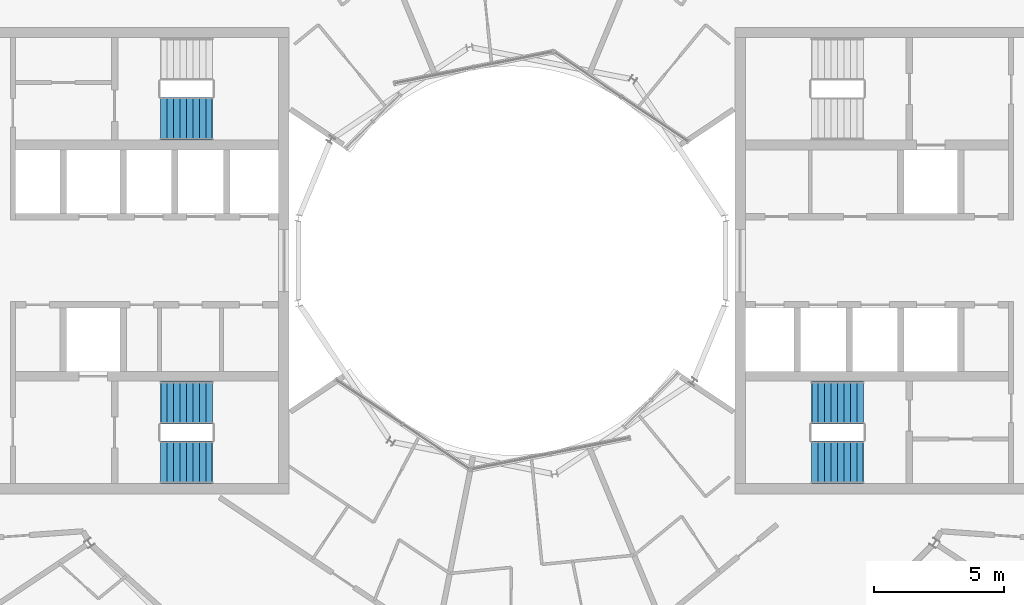
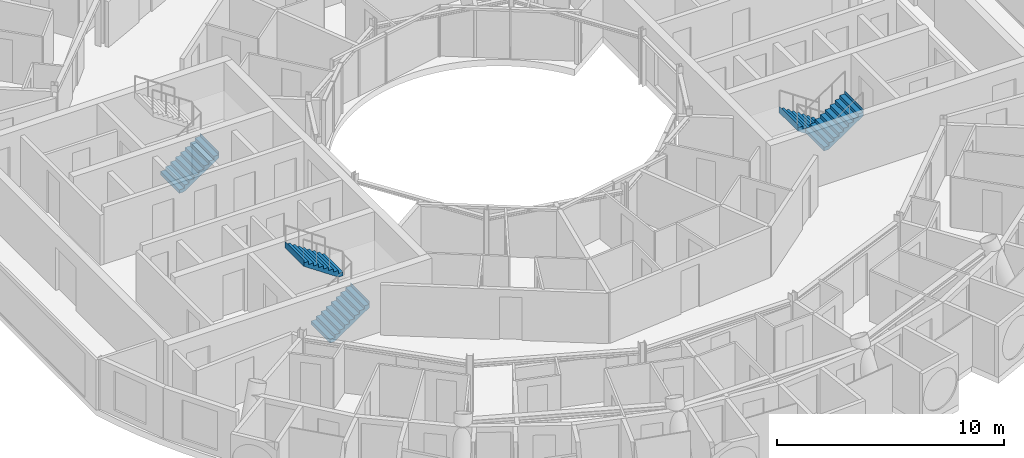
# One storey, part 24 of 27: 5 stair flights, 3 elements without a shape of their own.
"""IFC4 building model written with IfcOpenShell, lengths in metres."""

from ifc_helpers import new_model, si_unit, direction, frame, origin, place, context, subcontext, project, spatial, triangles, material, type_object, element, aggregate, save


model = new_model("IFC4")

# Units and contexts
model_context = context("Model", 3, precision=1e-05, world=origin(), true_north=direction((0.0, 1.0)))
body_context = subcontext(model_context, "Body", "Model", "MODEL_VIEW")
ifc_project = project(units=[si_unit("LENGTHUNIT", "METRE"), si_unit("AREAUNIT", "SQUARE_METRE"), si_unit("VOLUMEUNIT", "CUBIC_METRE"), si_unit("PLANEANGLEUNIT", "RADIAN"), si_unit("MASSUNIT", "GRAM", prefix="KILO")], contexts=[model_context])

# Site, building, storey
site_placement = place(None, origin())
site = spatial("IfcSite", under=ifc_project, at=site_placement, CompositionType="ELEMENT")
building_placement = place(site_placement, origin())
building = spatial("IfcBuilding", under=site, at=building_placement, Name="Maasbend Ring Residences", CompositionType="ELEMENT")
storey_placement = place(building_placement, frame((0.0, 0.0, 243.199951171875)))
storey = spatial("IfcBuildingStorey", under=building, at=storey_placement, Name="L70", CompositionType="ELEMENT", Elevation=243.199951171875)

# Stair, stair flights
ifc_material_1 = material(Name="Concrete C40/50", Category="concrete")
stair_type = type_object("IfcStairType", Name="CORE STAIR 18 RISERS", PredefinedType="HALF_TURN_STAIR", material=ifc_material_1)
stair_1_placement = place(storey_placement, origin())
stair_1 = element("IfcStair", 1, at=stair_1_placement, inside=storey, type_object=stair_type, Name="L70 Exit stair ST-E2", PredefinedType="HALF_TURN_STAIR")
ifc_material_2 = material(Name="Concrete C40/50", Category="concrete")
stair_flight_type = type_object("IfcStairFlightType", Name="CORE STAIR FLIGHT 1650", PredefinedType="STRAIGHT", material=ifc_material_2)
stair_flight_1_placement = place(storey_placement, frame((13.550048828125, -5.47509765625, 0.0), z_axis=(0.0, 0.0, 1.0), x_axis=(-1.0, 0.0, 0.0)))
stair_flight_1 = element("IfcStairFlight", 2, at=stair_flight_1_placement, type_object=stair_flight_type, Name="ST-E2 flight 1", NumberOfRisers=9, NumberOfTreads=8, PredefinedType="STRAIGHT", RiserHeight=0.169444444, TreadLength=0.25, context=body_context, shape_type="Tessellation", body=[
    triangles([(0.24072265625, 0.824951171875, -0.02001953125), (2.0029296875, 0.824951171875, 1.174560546875), (2.0029296875, 0.824951171875, 1.52490234375), (1.989990234375, 0.824951171875, 1.35546875), (1.75, 0.824951171875, 1.35546875), (1.75, 0.824951171875, 1.18603515625), (1.5, 0.824951171875, 1.18603515625), (1.5, 0.824951171875, 1.0166015625), (1.25, 0.824951171875, 1.0166015625), (1.25, 0.824951171875, 0.84716796875), (1.0, 0.824951171875, 0.84716796875), (1.0, 0.824951171875, 0.677734375), (0.75, 0.824951171875, 0.677734375), (0.75, 0.824951171875, 0.50830078125), (0.5, 0.824951171875, 0.50830078125), (0.5, 0.824951171875, 0.3388671875), (0.25, 0.824951171875, 0.3388671875), (0.25, 0.824951171875, 0.16943359375), (0.0, 0.824951171875, 0.16943359375), (0.0, 0.824951171875, 0.0), (-0.0029296875, 0.824951171875, 0.0), (-0.0029296875, 0.824951171875, -0.02001953125), (0.24072265625, 0.27490234375, -0.02001953125), (2.0029296875, 0.27490234375, 1.174560546875), (2.0029296875, 0.27490234375, 1.52490234375), (1.989990234375, 0.27490234375, 1.35546875), (1.75, 0.27490234375, 1.35546875), (1.75, 0.27490234375, 1.18603515625), (1.5, 0.27490234375, 1.18603515625), (1.5, 0.27490234375, 1.0166015625), (1.25, 0.27490234375, 1.0166015625), (1.25, 0.27490234375, 0.84716796875), (1.0, 0.27490234375, 0.84716796875), (1.0, 0.27490234375, 0.677734375), (0.75, 0.27490234375, 0.677734375), (0.75, 0.27490234375, 0.50830078125), (0.5, 0.27490234375, 0.50830078125), (0.5, 0.27490234375, 0.3388671875), (0.25, 0.27490234375, 0.3388671875), (0.25, 0.27490234375, 0.16943359375), (0.0, 0.27490234375, 0.16943359375), (0.0, 0.27490234375, 0.0), (-0.0029296875, 0.27490234375, 0.0), (-0.0029296875, 0.27490234375, -0.02001953125), (0.24072265625, -0.27490234375, -0.02001953125), (2.0029296875, -0.27490234375, 1.174560546875), (2.0029296875, -0.27490234375, 1.52490234375), (1.989990234375, -0.27490234375, 1.35546875), (1.75, -0.27490234375, 1.35546875), (1.75, -0.27490234375, 1.18603515625), (1.5, -0.27490234375, 1.18603515625), (1.5, -0.27490234375, 1.0166015625), (1.25, -0.27490234375, 1.0166015625), (1.25, -0.27490234375, 0.84716796875), (1.0, -0.27490234375, 0.84716796875), (1.0, -0.27490234375, 0.677734375), (0.75, -0.27490234375, 0.677734375), (0.75, -0.27490234375, 0.50830078125), (0.5, -0.27490234375, 0.50830078125), (0.5, -0.27490234375, 0.3388671875), (0.25, -0.27490234375, 0.3388671875), (0.25, -0.27490234375, 0.16943359375), (0.0, -0.27490234375, 0.16943359375), (0.0, -0.27490234375, 0.0), (-0.0029296875, -0.27490234375, 0.0), (-0.0029296875, -0.27490234375, -0.02001953125), (0.24072265625, -0.824951171875, -0.02001953125), (2.0029296875, -0.824951171875, 1.174560546875), (2.0029296875, -0.824951171875, 1.52490234375), (1.989990234375, -0.824951171875, 1.35546875), (1.75, -0.824951171875, 1.35546875), (1.75, -0.824951171875, 1.18603515625), (1.5, -0.824951171875, 1.18603515625), (1.5, -0.824951171875, 1.0166015625), (1.25, -0.824951171875, 1.0166015625), (1.25, -0.824951171875, 0.84716796875), (1.0, -0.824951171875, 0.84716796875), (1.0, -0.824951171875, 0.677734375), (0.75, -0.824951171875, 0.677734375), (0.75, -0.824951171875, 0.50830078125), (0.5, -0.824951171875, 0.50830078125), (0.5, -0.824951171875, 0.3388671875), (0.25, -0.824951171875, 0.3388671875), (0.25, -0.824951171875, 0.16943359375), (0.0, -0.824951171875, 0.16943359375), (0.0, -0.824951171875, 0.0), (-0.0029296875, -0.824951171875, 0.0), (-0.0029296875, -0.824951171875, -0.02001953125)], [[1, 2, 24], [1, 24, 23], [23, 24, 46], [23, 46, 45], [45, 46, 68], [45, 68, 67], [2, 3, 25], [2, 25, 24], [24, 25, 47], [24, 47, 46], [46, 47, 69], [46, 69, 68], [3, 4, 26], [3, 26, 25], [25, 26, 48], [25, 48, 47], [47, 48, 70], [47, 70, 69], [4, 5, 27], [4, 27, 26], [26, 27, 49], [26, 49, 48], [48, 49, 71], [48, 71, 70], [5, 6, 28], [5, 28, 27], [27, 28, 50], [27, 50, 49], [49, 50, 72], [49, 72, 71], [6, 7, 29], [6, 29, 28], [28, 29, 51], [28, 51, 50], [50, 51, 73], [50, 73, 72], [7, 8, 30], [7, 30, 29], [29, 30, 52], [29, 52, 51], [51, 52, 74], [51, 74, 73], [8, 9, 31], [8, 31, 30], [30, 31, 53], [30, 53, 52], [52, 53, 75], [52, 75, 74], [9, 10, 32], [9, 32, 31], [31, 32, 54], [31, 54, 53], [53, 54, 76], [53, 76, 75], [10, 11, 33], [10, 33, 32], [32, 33, 55], [32, 55, 54], [54, 55, 77], [54, 77, 76], [11, 12, 34], [11, 34, 33], [33, 34, 56], [33, 56, 55], [55, 56, 78], [55, 78, 77], [12, 13, 35], [12, 35, 34], [34, 35, 57], [34, 57, 56], [56, 57, 79], [56, 79, 78], [13, 14, 36], [13, 36, 35], [35, 36, 58], [35, 58, 57], [57, 58, 80], [57, 80, 79], [14, 15, 37], [14, 37, 36], [36, 37, 59], [36, 59, 58], [58, 59, 81], [58, 81, 80], [15, 16, 38], [15, 38, 37], [37, 38, 60], [37, 60, 59], [59, 60, 82], [59, 82, 81], [16, 17, 39], [16, 39, 38], [38, 39, 61], [38, 61, 60], [60, 61, 83], [60, 83, 82], [17, 18, 40], [17, 40, 39], [39, 40, 62], [39, 62, 61], [61, 62, 84], [61, 84, 83], [18, 19, 41], [18, 41, 40], [40, 41, 63], [40, 63, 62], [62, 63, 85], [62, 85, 84], [19, 20, 42], [19, 42, 41], [41, 42, 64], [41, 64, 63], [63, 64, 86], [63, 86, 85], [20, 21, 43], [20, 43, 42], [42, 43, 65], [42, 65, 64], [64, 65, 87], [64, 87, 86], [21, 22, 44], [21, 44, 43], [43, 44, 66], [43, 66, 65], [65, 66, 88], [65, 88, 87], [22, 1, 23], [22, 23, 44], [44, 23, 45], [44, 45, 66], [66, 45, 67], [66, 67, 88], [22, 2, 1], [2, 4, 3], [2, 5, 4], [2, 6, 5], [22, 6, 2], [6, 8, 7], [22, 8, 6], [8, 10, 9], [22, 10, 8], [10, 12, 11], [22, 12, 10], [12, 14, 13], [22, 14, 12], [14, 16, 15], [22, 16, 14], [16, 18, 17], [22, 18, 16], [18, 20, 19], [22, 20, 18], [20, 22, 21], [88, 67, 68], [68, 69, 70], [68, 70, 71], [68, 71, 72], [88, 68, 72], [72, 73, 74], [88, 72, 74], [74, 75, 76], [88, 74, 76], [76, 77, 78], [88, 76, 78], [78, 79, 80], [88, 78, 80], [80, 81, 82], [88, 80, 82], [82, 83, 84], [88, 82, 84], [84, 85, 86], [88, 84, 86], [86, 87, 88]], closed=True),
])
stair_flight_2_placement = place(storey_placement, frame((11.550048828125, -7.77490234375, 1.525146484375), z_axis=(0.0, 0.0, 1.0), x_axis=(1.0, 0.0, 0.0)))
stair_flight_2 = element("IfcStairFlight", 3, at=stair_flight_2_placement, type_object=stair_flight_type, Name="ST-E2 flight 2", NumberOfRisers=9, NumberOfTreads=8, PredefinedType="STRAIGHT", RiserHeight=0.169444444, TreadLength=0.25, context=body_context, shape_type="Tessellation", body=[
    triangles([(0.24072265625, 0.824951171875, -0.02001953125), (2.0029296875, 0.824951171875, 1.174560546875), (2.0029296875, 0.824951171875, 1.52490234375), (1.989990234375, 0.824951171875, 1.35546875), (1.75, 0.824951171875, 1.35546875), (1.75, 0.824951171875, 1.18603515625), (1.5, 0.824951171875, 1.18603515625), (1.5, 0.824951171875, 1.0166015625), (1.25, 0.824951171875, 1.0166015625), (1.25, 0.824951171875, 0.84716796875), (1.0, 0.824951171875, 0.84716796875), (1.0, 0.824951171875, 0.677734375), (0.75, 0.824951171875, 0.677734375), (0.75, 0.824951171875, 0.50830078125), (0.5, 0.824951171875, 0.50830078125), (0.5, 0.824951171875, 0.3388671875), (0.25, 0.824951171875, 0.3388671875), (0.25, 0.824951171875, 0.16943359375), (0.0, 0.824951171875, 0.16943359375), (0.0, 0.824951171875, 0.0), (-0.0029296875, 0.824951171875, 0.0), (-0.0029296875, 0.824951171875, -0.02001953125), (0.24072265625, 0.27490234375, -0.02001953125), (2.0029296875, 0.27490234375, 1.174560546875), (2.0029296875, 0.27490234375, 1.52490234375), (1.989990234375, 0.27490234375, 1.35546875), (1.75, 0.27490234375, 1.35546875), (1.75, 0.27490234375, 1.18603515625), (1.5, 0.27490234375, 1.18603515625), (1.5, 0.27490234375, 1.0166015625), (1.25, 0.27490234375, 1.0166015625), (1.25, 0.27490234375, 0.84716796875), (1.0, 0.27490234375, 0.84716796875), (1.0, 0.27490234375, 0.677734375), (0.75, 0.27490234375, 0.677734375), (0.75, 0.27490234375, 0.50830078125), (0.5, 0.27490234375, 0.50830078125), (0.5, 0.27490234375, 0.3388671875), (0.25, 0.27490234375, 0.3388671875), (0.25, 0.27490234375, 0.16943359375), (0.0, 0.27490234375, 0.16943359375), (0.0, 0.27490234375, 0.0), (-0.0029296875, 0.27490234375, 0.0), (-0.0029296875, 0.27490234375, -0.02001953125), (0.24072265625, -0.27490234375, -0.02001953125), (2.0029296875, -0.27490234375, 1.174560546875), (2.0029296875, -0.27490234375, 1.52490234375), (1.989990234375, -0.27490234375, 1.35546875), (1.75, -0.27490234375, 1.35546875), (1.75, -0.27490234375, 1.18603515625), (1.5, -0.27490234375, 1.18603515625), (1.5, -0.27490234375, 1.0166015625), (1.25, -0.27490234375, 1.0166015625), (1.25, -0.27490234375, 0.84716796875), (1.0, -0.27490234375, 0.84716796875), (1.0, -0.27490234375, 0.677734375), (0.75, -0.27490234375, 0.677734375), (0.75, -0.27490234375, 0.50830078125), (0.5, -0.27490234375, 0.50830078125), (0.5, -0.27490234375, 0.3388671875), (0.25, -0.27490234375, 0.3388671875), (0.25, -0.27490234375, 0.16943359375), (0.0, -0.27490234375, 0.16943359375), (0.0, -0.27490234375, 0.0), (-0.0029296875, -0.27490234375, 0.0), (-0.0029296875, -0.27490234375, -0.02001953125), (0.24072265625, -0.824951171875, -0.02001953125), (2.0029296875, -0.824951171875, 1.174560546875), (2.0029296875, -0.824951171875, 1.52490234375), (1.989990234375, -0.824951171875, 1.35546875), (1.75, -0.824951171875, 1.35546875), (1.75, -0.824951171875, 1.18603515625), (1.5, -0.824951171875, 1.18603515625), (1.5, -0.824951171875, 1.0166015625), (1.25, -0.824951171875, 1.0166015625), (1.25, -0.824951171875, 0.84716796875), (1.0, -0.824951171875, 0.84716796875), (1.0, -0.824951171875, 0.677734375), (0.75, -0.824951171875, 0.677734375), (0.75, -0.824951171875, 0.50830078125), (0.5, -0.824951171875, 0.50830078125), (0.5, -0.824951171875, 0.3388671875), (0.25, -0.824951171875, 0.3388671875), (0.25, -0.824951171875, 0.16943359375), (0.0, -0.824951171875, 0.16943359375), (0.0, -0.824951171875, 0.0), (-0.0029296875, -0.824951171875, 0.0), (-0.0029296875, -0.824951171875, -0.02001953125)], [[1, 2, 24], [1, 24, 23], [23, 24, 46], [23, 46, 45], [45, 46, 68], [45, 68, 67], [2, 3, 25], [2, 25, 24], [24, 25, 47], [24, 47, 46], [46, 47, 69], [46, 69, 68], [3, 4, 26], [3, 26, 25], [25, 26, 48], [25, 48, 47], [47, 48, 70], [47, 70, 69], [4, 5, 27], [4, 27, 26], [26, 27, 49], [26, 49, 48], [48, 49, 71], [48, 71, 70], [5, 6, 28], [5, 28, 27], [27, 28, 50], [27, 50, 49], [49, 50, 72], [49, 72, 71], [6, 7, 29], [6, 29, 28], [28, 29, 51], [28, 51, 50], [50, 51, 73], [50, 73, 72], [7, 8, 30], [7, 30, 29], [29, 30, 52], [29, 52, 51], [51, 52, 74], [51, 74, 73], [8, 9, 31], [8, 31, 30], [30, 31, 53], [30, 53, 52], [52, 53, 75], [52, 75, 74], [9, 10, 32], [9, 32, 31], [31, 32, 54], [31, 54, 53], [53, 54, 76], [53, 76, 75], [10, 11, 33], [10, 33, 32], [32, 33, 55], [32, 55, 54], [54, 55, 77], [54, 77, 76], [11, 12, 34], [11, 34, 33], [33, 34, 56], [33, 56, 55], [55, 56, 78], [55, 78, 77], [12, 13, 35], [12, 35, 34], [34, 35, 57], [34, 57, 56], [56, 57, 79], [56, 79, 78], [13, 14, 36], [13, 36, 35], [35, 36, 58], [35, 58, 57], [57, 58, 80], [57, 80, 79], [14, 15, 37], [14, 37, 36], [36, 37, 59], [36, 59, 58], [58, 59, 81], [58, 81, 80], [15, 16, 38], [15, 38, 37], [37, 38, 60], [37, 60, 59], [59, 60, 82], [59, 82, 81], [16, 17, 39], [16, 39, 38], [38, 39, 61], [38, 61, 60], [60, 61, 83], [60, 83, 82], [17, 18, 40], [17, 40, 39], [39, 40, 62], [39, 62, 61], [61, 62, 84], [61, 84, 83], [18, 19, 41], [18, 41, 40], [40, 41, 63], [40, 63, 62], [62, 63, 85], [62, 85, 84], [19, 20, 42], [19, 42, 41], [41, 42, 64], [41, 64, 63], [63, 64, 86], [63, 86, 85], [20, 21, 43], [20, 43, 42], [42, 43, 65], [42, 65, 64], [64, 65, 87], [64, 87, 86], [21, 22, 44], [21, 44, 43], [43, 44, 66], [43, 66, 65], [65, 66, 88], [65, 88, 87], [22, 1, 23], [22, 23, 44], [44, 23, 45], [44, 45, 66], [66, 45, 67], [66, 67, 88], [22, 2, 1], [2, 4, 3], [2, 5, 4], [2, 6, 5], [22, 6, 2], [6, 8, 7], [22, 8, 6], [8, 10, 9], [22, 10, 8], [10, 12, 11], [22, 12, 10], [12, 14, 13], [22, 14, 12], [14, 16, 15], [22, 16, 14], [16, 18, 17], [22, 18, 16], [18, 20, 19], [22, 20, 18], [20, 22, 21], [88, 67, 68], [68, 69, 70], [68, 70, 71], [68, 71, 72], [88, 68, 72], [72, 73, 74], [88, 72, 74], [74, 75, 76], [88, 74, 76], [76, 77, 78], [88, 76, 78], [78, 79, 80], [88, 78, 80], [80, 81, 82], [88, 80, 82], [82, 83, 84], [88, 82, 84], [84, 85, 86], [88, 84, 86], [86, 87, 88]], closed=True),
])
aggregate(stair_1, [stair_flight_1, stair_flight_2])

stair_2_placement = place(storey_placement, origin())
stair_2 = element("IfcStair", 4, at=stair_2_placement, inside=storey, type_object=stair_type, Name="L70 Exit stair ST-W1", PredefinedType="HALF_TURN_STAIR")
stair_flight_3_placement = place(storey_placement, frame((-13.550048828125, -7.77490234375, 0.0), z_axis=(0.0, 0.0, 1.0), x_axis=(1.0, 0.0, 0.0)))
stair_flight_3 = element("IfcStairFlight", 5, at=stair_flight_3_placement, type_object=stair_flight_type, Name="ST-W1 flight 1", NumberOfRisers=9, NumberOfTreads=8, PredefinedType="STRAIGHT", RiserHeight=0.169444444, TreadLength=0.25, context=body_context, shape_type="Tessellation", body=[
    triangles([(0.24072265625, 0.824951171875, -0.02001953125), (2.0029296875, 0.824951171875, 1.174560546875), (2.0029296875, 0.824951171875, 1.52490234375), (1.989990234375, 0.824951171875, 1.35546875), (1.75, 0.824951171875, 1.35546875), (1.75, 0.824951171875, 1.18603515625), (1.5, 0.824951171875, 1.18603515625), (1.5, 0.824951171875, 1.0166015625), (1.25, 0.824951171875, 1.0166015625), (1.25, 0.824951171875, 0.84716796875), (1.0, 0.824951171875, 0.84716796875), (1.0, 0.824951171875, 0.677734375), (0.75, 0.824951171875, 0.677734375), (0.75, 0.824951171875, 0.50830078125), (0.5, 0.824951171875, 0.50830078125), (0.5, 0.824951171875, 0.3388671875), (0.25, 0.824951171875, 0.3388671875), (0.25, 0.824951171875, 0.16943359375), (0.0, 0.824951171875, 0.16943359375), (0.0, 0.824951171875, 0.0), (-0.0029296875, 0.824951171875, 0.0), (-0.0029296875, 0.824951171875, -0.02001953125), (0.24072265625, 0.27490234375, -0.02001953125), (2.0029296875, 0.27490234375, 1.174560546875), (2.0029296875, 0.27490234375, 1.52490234375), (1.989990234375, 0.27490234375, 1.35546875), (1.75, 0.27490234375, 1.35546875), (1.75, 0.27490234375, 1.18603515625), (1.5, 0.27490234375, 1.18603515625), (1.5, 0.27490234375, 1.0166015625), (1.25, 0.27490234375, 1.0166015625), (1.25, 0.27490234375, 0.84716796875), (1.0, 0.27490234375, 0.84716796875), (1.0, 0.27490234375, 0.677734375), (0.75, 0.27490234375, 0.677734375), (0.75, 0.27490234375, 0.50830078125), (0.5, 0.27490234375, 0.50830078125), (0.5, 0.27490234375, 0.3388671875), (0.25, 0.27490234375, 0.3388671875), (0.25, 0.27490234375, 0.16943359375), (0.0, 0.27490234375, 0.16943359375), (0.0, 0.27490234375, 0.0), (-0.0029296875, 0.27490234375, 0.0), (-0.0029296875, 0.27490234375, -0.02001953125), (0.24072265625, -0.27490234375, -0.02001953125), (2.0029296875, -0.27490234375, 1.174560546875), (2.0029296875, -0.27490234375, 1.52490234375), (1.989990234375, -0.27490234375, 1.35546875), (1.75, -0.27490234375, 1.35546875), (1.75, -0.27490234375, 1.18603515625), (1.5, -0.27490234375, 1.18603515625), (1.5, -0.27490234375, 1.0166015625), (1.25, -0.27490234375, 1.0166015625), (1.25, -0.27490234375, 0.84716796875), (1.0, -0.27490234375, 0.84716796875), (1.0, -0.27490234375, 0.677734375), (0.75, -0.27490234375, 0.677734375), (0.75, -0.27490234375, 0.50830078125), (0.5, -0.27490234375, 0.50830078125), (0.5, -0.27490234375, 0.3388671875), (0.25, -0.27490234375, 0.3388671875), (0.25, -0.27490234375, 0.16943359375), (0.0, -0.27490234375, 0.16943359375), (0.0, -0.27490234375, 0.0), (-0.0029296875, -0.27490234375, 0.0), (-0.0029296875, -0.27490234375, -0.02001953125), (0.24072265625, -0.824951171875, -0.02001953125), (2.0029296875, -0.824951171875, 1.174560546875), (2.0029296875, -0.824951171875, 1.52490234375), (1.989990234375, -0.824951171875, 1.35546875), (1.75, -0.824951171875, 1.35546875), (1.75, -0.824951171875, 1.18603515625), (1.5, -0.824951171875, 1.18603515625), (1.5, -0.824951171875, 1.0166015625), (1.25, -0.824951171875, 1.0166015625), (1.25, -0.824951171875, 0.84716796875), (1.0, -0.824951171875, 0.84716796875), (1.0, -0.824951171875, 0.677734375), (0.75, -0.824951171875, 0.677734375), (0.75, -0.824951171875, 0.50830078125), (0.5, -0.824951171875, 0.50830078125), (0.5, -0.824951171875, 0.3388671875), (0.25, -0.824951171875, 0.3388671875), (0.25, -0.824951171875, 0.16943359375), (0.0, -0.824951171875, 0.16943359375), (0.0, -0.824951171875, 0.0), (-0.0029296875, -0.824951171875, 0.0), (-0.0029296875, -0.824951171875, -0.02001953125)], [[1, 2, 24], [1, 24, 23], [23, 24, 46], [23, 46, 45], [45, 46, 68], [45, 68, 67], [2, 3, 25], [2, 25, 24], [24, 25, 47], [24, 47, 46], [46, 47, 69], [46, 69, 68], [3, 4, 26], [3, 26, 25], [25, 26, 48], [25, 48, 47], [47, 48, 70], [47, 70, 69], [4, 5, 27], [4, 27, 26], [26, 27, 49], [26, 49, 48], [48, 49, 71], [48, 71, 70], [5, 6, 28], [5, 28, 27], [27, 28, 50], [27, 50, 49], [49, 50, 72], [49, 72, 71], [6, 7, 29], [6, 29, 28], [28, 29, 51], [28, 51, 50], [50, 51, 73], [50, 73, 72], [7, 8, 30], [7, 30, 29], [29, 30, 52], [29, 52, 51], [51, 52, 74], [51, 74, 73], [8, 9, 31], [8, 31, 30], [30, 31, 53], [30, 53, 52], [52, 53, 75], [52, 75, 74], [9, 10, 32], [9, 32, 31], [31, 32, 54], [31, 54, 53], [53, 54, 76], [53, 76, 75], [10, 11, 33], [10, 33, 32], [32, 33, 55], [32, 55, 54], [54, 55, 77], [54, 77, 76], [11, 12, 34], [11, 34, 33], [33, 34, 56], [33, 56, 55], [55, 56, 78], [55, 78, 77], [12, 13, 35], [12, 35, 34], [34, 35, 57], [34, 57, 56], [56, 57, 79], [56, 79, 78], [13, 14, 36], [13, 36, 35], [35, 36, 58], [35, 58, 57], [57, 58, 80], [57, 80, 79], [14, 15, 37], [14, 37, 36], [36, 37, 59], [36, 59, 58], [58, 59, 81], [58, 81, 80], [15, 16, 38], [15, 38, 37], [37, 38, 60], [37, 60, 59], [59, 60, 82], [59, 82, 81], [16, 17, 39], [16, 39, 38], [38, 39, 61], [38, 61, 60], [60, 61, 83], [60, 83, 82], [17, 18, 40], [17, 40, 39], [39, 40, 62], [39, 62, 61], [61, 62, 84], [61, 84, 83], [18, 19, 41], [18, 41, 40], [40, 41, 63], [40, 63, 62], [62, 63, 85], [62, 85, 84], [19, 20, 42], [19, 42, 41], [41, 42, 64], [41, 64, 63], [63, 64, 86], [63, 86, 85], [20, 21, 43], [20, 43, 42], [42, 43, 65], [42, 65, 64], [64, 65, 87], [64, 87, 86], [21, 22, 44], [21, 44, 43], [43, 44, 66], [43, 66, 65], [65, 66, 88], [65, 88, 87], [22, 1, 23], [22, 23, 44], [44, 23, 45], [44, 45, 66], [66, 45, 67], [66, 67, 88], [22, 2, 1], [2, 4, 3], [2, 5, 4], [2, 6, 5], [22, 6, 2], [6, 8, 7], [22, 8, 6], [8, 10, 9], [22, 10, 8], [10, 12, 11], [22, 12, 10], [12, 14, 13], [22, 14, 12], [14, 16, 15], [22, 16, 14], [16, 18, 17], [22, 18, 16], [18, 20, 19], [22, 20, 18], [20, 22, 21], [88, 67, 68], [68, 69, 70], [68, 70, 71], [68, 71, 72], [88, 68, 72], [72, 73, 74], [88, 72, 74], [74, 75, 76], [88, 74, 76], [76, 77, 78], [88, 76, 78], [78, 79, 80], [88, 78, 80], [80, 81, 82], [88, 80, 82], [82, 83, 84], [88, 82, 84], [84, 85, 86], [88, 84, 86], [86, 87, 88]], closed=True),
])
stair_flight_4_placement = place(storey_placement, frame((-11.550048828125, -5.47509765625, 1.525146484375), z_axis=(0.0, 0.0, 1.0), x_axis=(-1.0, 0.0, 0.0)))
stair_flight_4 = element("IfcStairFlight", 6, at=stair_flight_4_placement, type_object=stair_flight_type, Name="ST-W1 flight 2", NumberOfRisers=9, NumberOfTreads=8, PredefinedType="STRAIGHT", RiserHeight=0.169444444, TreadLength=0.25, context=body_context, shape_type="Tessellation", body=[
    triangles([(0.24072265625, 0.824951171875, -0.02001953125), (2.0029296875, 0.824951171875, 1.174560546875), (2.0029296875, 0.824951171875, 1.52490234375), (1.989990234375, 0.824951171875, 1.35546875), (1.75, 0.824951171875, 1.35546875), (1.75, 0.824951171875, 1.18603515625), (1.5, 0.824951171875, 1.18603515625), (1.5, 0.824951171875, 1.0166015625), (1.25, 0.824951171875, 1.0166015625), (1.25, 0.824951171875, 0.84716796875), (1.0, 0.824951171875, 0.84716796875), (1.0, 0.824951171875, 0.677734375), (0.75, 0.824951171875, 0.677734375), (0.75, 0.824951171875, 0.50830078125), (0.5, 0.824951171875, 0.50830078125), (0.5, 0.824951171875, 0.3388671875), (0.25, 0.824951171875, 0.3388671875), (0.25, 0.824951171875, 0.16943359375), (0.0, 0.824951171875, 0.16943359375), (0.0, 0.824951171875, 0.0), (-0.0029296875, 0.824951171875, 0.0), (-0.0029296875, 0.824951171875, -0.02001953125), (0.24072265625, 0.27490234375, -0.02001953125), (2.0029296875, 0.27490234375, 1.174560546875), (2.0029296875, 0.27490234375, 1.52490234375), (1.989990234375, 0.27490234375, 1.35546875), (1.75, 0.27490234375, 1.35546875), (1.75, 0.27490234375, 1.18603515625), (1.5, 0.27490234375, 1.18603515625), (1.5, 0.27490234375, 1.0166015625), (1.25, 0.27490234375, 1.0166015625), (1.25, 0.27490234375, 0.84716796875), (1.0, 0.27490234375, 0.84716796875), (1.0, 0.27490234375, 0.677734375), (0.75, 0.27490234375, 0.677734375), (0.75, 0.27490234375, 0.50830078125), (0.5, 0.27490234375, 0.50830078125), (0.5, 0.27490234375, 0.3388671875), (0.25, 0.27490234375, 0.3388671875), (0.25, 0.27490234375, 0.16943359375), (0.0, 0.27490234375, 0.16943359375), (0.0, 0.27490234375, 0.0), (-0.0029296875, 0.27490234375, 0.0), (-0.0029296875, 0.27490234375, -0.02001953125), (0.24072265625, -0.27490234375, -0.02001953125), (2.0029296875, -0.27490234375, 1.174560546875), (2.0029296875, -0.27490234375, 1.52490234375), (1.989990234375, -0.27490234375, 1.35546875), (1.75, -0.27490234375, 1.35546875), (1.75, -0.27490234375, 1.18603515625), (1.5, -0.27490234375, 1.18603515625), (1.5, -0.27490234375, 1.0166015625), (1.25, -0.27490234375, 1.0166015625), (1.25, -0.27490234375, 0.84716796875), (1.0, -0.27490234375, 0.84716796875), (1.0, -0.27490234375, 0.677734375), (0.75, -0.27490234375, 0.677734375), (0.75, -0.27490234375, 0.50830078125), (0.5, -0.27490234375, 0.50830078125), (0.5, -0.27490234375, 0.3388671875), (0.25, -0.27490234375, 0.3388671875), (0.25, -0.27490234375, 0.16943359375), (0.0, -0.27490234375, 0.16943359375), (0.0, -0.27490234375, 0.0), (-0.0029296875, -0.27490234375, 0.0), (-0.0029296875, -0.27490234375, -0.02001953125), (0.24072265625, -0.824951171875, -0.02001953125), (2.0029296875, -0.824951171875, 1.174560546875), (2.0029296875, -0.824951171875, 1.52490234375), (1.989990234375, -0.824951171875, 1.35546875), (1.75, -0.824951171875, 1.35546875), (1.75, -0.824951171875, 1.18603515625), (1.5, -0.824951171875, 1.18603515625), (1.5, -0.824951171875, 1.0166015625), (1.25, -0.824951171875, 1.0166015625), (1.25, -0.824951171875, 0.84716796875), (1.0, -0.824951171875, 0.84716796875), (1.0, -0.824951171875, 0.677734375), (0.75, -0.824951171875, 0.677734375), (0.75, -0.824951171875, 0.50830078125), (0.5, -0.824951171875, 0.50830078125), (0.5, -0.824951171875, 0.3388671875), (0.25, -0.824951171875, 0.3388671875), (0.25, -0.824951171875, 0.16943359375), (0.0, -0.824951171875, 0.16943359375), (0.0, -0.824951171875, 0.0), (-0.0029296875, -0.824951171875, 0.0), (-0.0029296875, -0.824951171875, -0.02001953125)], [[1, 2, 24], [1, 24, 23], [23, 24, 46], [23, 46, 45], [45, 46, 68], [45, 68, 67], [2, 3, 25], [2, 25, 24], [24, 25, 47], [24, 47, 46], [46, 47, 69], [46, 69, 68], [3, 4, 26], [3, 26, 25], [25, 26, 48], [25, 48, 47], [47, 48, 70], [47, 70, 69], [4, 5, 27], [4, 27, 26], [26, 27, 49], [26, 49, 48], [48, 49, 71], [48, 71, 70], [5, 6, 28], [5, 28, 27], [27, 28, 50], [27, 50, 49], [49, 50, 72], [49, 72, 71], [6, 7, 29], [6, 29, 28], [28, 29, 51], [28, 51, 50], [50, 51, 73], [50, 73, 72], [7, 8, 30], [7, 30, 29], [29, 30, 52], [29, 52, 51], [51, 52, 74], [51, 74, 73], [8, 9, 31], [8, 31, 30], [30, 31, 53], [30, 53, 52], [52, 53, 75], [52, 75, 74], [9, 10, 32], [9, 32, 31], [31, 32, 54], [31, 54, 53], [53, 54, 76], [53, 76, 75], [10, 11, 33], [10, 33, 32], [32, 33, 55], [32, 55, 54], [54, 55, 77], [54, 77, 76], [11, 12, 34], [11, 34, 33], [33, 34, 56], [33, 56, 55], [55, 56, 78], [55, 78, 77], [12, 13, 35], [12, 35, 34], [34, 35, 57], [34, 57, 56], [56, 57, 79], [56, 79, 78], [13, 14, 36], [13, 36, 35], [35, 36, 58], [35, 58, 57], [57, 58, 80], [57, 80, 79], [14, 15, 37], [14, 37, 36], [36, 37, 59], [36, 59, 58], [58, 59, 81], [58, 81, 80], [15, 16, 38], [15, 38, 37], [37, 38, 60], [37, 60, 59], [59, 60, 82], [59, 82, 81], [16, 17, 39], [16, 39, 38], [38, 39, 61], [38, 61, 60], [60, 61, 83], [60, 83, 82], [17, 18, 40], [17, 40, 39], [39, 40, 62], [39, 62, 61], [61, 62, 84], [61, 84, 83], [18, 19, 41], [18, 41, 40], [40, 41, 63], [40, 63, 62], [62, 63, 85], [62, 85, 84], [19, 20, 42], [19, 42, 41], [41, 42, 64], [41, 64, 63], [63, 64, 86], [63, 86, 85], [20, 21, 43], [20, 43, 42], [42, 43, 65], [42, 65, 64], [64, 65, 87], [64, 87, 86], [21, 22, 44], [21, 44, 43], [43, 44, 66], [43, 66, 65], [65, 66, 88], [65, 88, 87], [22, 1, 23], [22, 23, 44], [44, 23, 45], [44, 45, 66], [66, 45, 67], [66, 67, 88], [22, 2, 1], [2, 4, 3], [2, 5, 4], [2, 6, 5], [22, 6, 2], [6, 8, 7], [22, 8, 6], [8, 10, 9], [22, 10, 8], [10, 12, 11], [22, 12, 10], [12, 14, 13], [22, 14, 12], [14, 16, 15], [22, 16, 14], [16, 18, 17], [22, 18, 16], [18, 20, 19], [22, 20, 18], [20, 22, 21], [88, 67, 68], [68, 69, 70], [68, 70, 71], [68, 71, 72], [88, 68, 72], [72, 73, 74], [88, 72, 74], [74, 75, 76], [88, 74, 76], [76, 77, 78], [88, 76, 78], [78, 79, 80], [88, 78, 80], [80, 81, 82], [88, 80, 82], [82, 83, 84], [88, 82, 84], [84, 85, 86], [88, 84, 86], [86, 87, 88]], closed=True),
])
aggregate(stair_2, [stair_flight_3, stair_flight_4])

# Stair, stair flight
stair_3_placement = place(storey_placement, origin())
stair_3 = element("IfcStair", 7, at=stair_3_placement, inside=storey, type_object=stair_type, Name="L70 Exit stair ST-W2", PredefinedType="HALF_TURN_STAIR")
stair_flight_5_placement = place(storey_placement, frame((-13.550048828125, 5.47509765625, 0.0), z_axis=(0.0, 0.0, 1.0), x_axis=(1.0, 0.0, 0.0)))
stair_flight_5 = element("IfcStairFlight", 8, at=stair_flight_5_placement, type_object=stair_flight_type, Name="ST-W2 flight 1", NumberOfRisers=9, NumberOfTreads=8, PredefinedType="STRAIGHT", RiserHeight=0.169444444, TreadLength=0.25, context=body_context, shape_type="Tessellation", body=[
    triangles([(0.24072265625, 0.824951171875, -0.02001953125), (2.0029296875, 0.824951171875, 1.174560546875), (2.0029296875, 0.824951171875, 1.52490234375), (1.989990234375, 0.824951171875, 1.35546875), (1.75, 0.824951171875, 1.35546875), (1.75, 0.824951171875, 1.18603515625), (1.5, 0.824951171875, 1.18603515625), (1.5, 0.824951171875, 1.0166015625), (1.25, 0.824951171875, 1.0166015625), (1.25, 0.824951171875, 0.84716796875), (1.0, 0.824951171875, 0.84716796875), (1.0, 0.824951171875, 0.677734375), (0.75, 0.824951171875, 0.677734375), (0.75, 0.824951171875, 0.50830078125), (0.5, 0.824951171875, 0.50830078125), (0.5, 0.824951171875, 0.3388671875), (0.25, 0.824951171875, 0.3388671875), (0.25, 0.824951171875, 0.16943359375), (0.0, 0.824951171875, 0.16943359375), (0.0, 0.824951171875, 0.0), (-0.0029296875, 0.824951171875, 0.0), (-0.0029296875, 0.824951171875, -0.02001953125), (0.24072265625, 0.27490234375, -0.02001953125), (2.0029296875, 0.27490234375, 1.174560546875), (2.0029296875, 0.27490234375, 1.52490234375), (1.989990234375, 0.27490234375, 1.35546875), (1.75, 0.27490234375, 1.35546875), (1.75, 0.27490234375, 1.18603515625), (1.5, 0.27490234375, 1.18603515625), (1.5, 0.27490234375, 1.0166015625), (1.25, 0.27490234375, 1.0166015625), (1.25, 0.27490234375, 0.84716796875), (1.0, 0.27490234375, 0.84716796875), (1.0, 0.27490234375, 0.677734375), (0.75, 0.27490234375, 0.677734375), (0.75, 0.27490234375, 0.50830078125), (0.5, 0.27490234375, 0.50830078125), (0.5, 0.27490234375, 0.3388671875), (0.25, 0.27490234375, 0.3388671875), (0.25, 0.27490234375, 0.16943359375), (0.0, 0.27490234375, 0.16943359375), (0.0, 0.27490234375, 0.0), (-0.0029296875, 0.27490234375, 0.0), (-0.0029296875, 0.27490234375, -0.02001953125), (0.24072265625, -0.27490234375, -0.02001953125), (2.0029296875, -0.27490234375, 1.174560546875), (2.0029296875, -0.27490234375, 1.52490234375), (1.989990234375, -0.27490234375, 1.35546875), (1.75, -0.27490234375, 1.35546875), (1.75, -0.27490234375, 1.18603515625), (1.5, -0.27490234375, 1.18603515625), (1.5, -0.27490234375, 1.0166015625), (1.25, -0.27490234375, 1.0166015625), (1.25, -0.27490234375, 0.84716796875), (1.0, -0.27490234375, 0.84716796875), (1.0, -0.27490234375, 0.677734375), (0.75, -0.27490234375, 0.677734375), (0.75, -0.27490234375, 0.50830078125), (0.5, -0.27490234375, 0.50830078125), (0.5, -0.27490234375, 0.3388671875), (0.25, -0.27490234375, 0.3388671875), (0.25, -0.27490234375, 0.16943359375), (0.0, -0.27490234375, 0.16943359375), (0.0, -0.27490234375, 0.0), (-0.0029296875, -0.27490234375, 0.0), (-0.0029296875, -0.27490234375, -0.02001953125), (0.24072265625, -0.824951171875, -0.02001953125), (2.0029296875, -0.824951171875, 1.174560546875), (2.0029296875, -0.824951171875, 1.52490234375), (1.989990234375, -0.824951171875, 1.35546875), (1.75, -0.824951171875, 1.35546875), (1.75, -0.824951171875, 1.18603515625), (1.5, -0.824951171875, 1.18603515625), (1.5, -0.824951171875, 1.0166015625), (1.25, -0.824951171875, 1.0166015625), (1.25, -0.824951171875, 0.84716796875), (1.0, -0.824951171875, 0.84716796875), (1.0, -0.824951171875, 0.677734375), (0.75, -0.824951171875, 0.677734375), (0.75, -0.824951171875, 0.50830078125), (0.5, -0.824951171875, 0.50830078125), (0.5, -0.824951171875, 0.3388671875), (0.25, -0.824951171875, 0.3388671875), (0.25, -0.824951171875, 0.16943359375), (0.0, -0.824951171875, 0.16943359375), (0.0, -0.824951171875, 0.0), (-0.0029296875, -0.824951171875, 0.0), (-0.0029296875, -0.824951171875, -0.02001953125)], [[1, 2, 24], [1, 24, 23], [23, 24, 46], [23, 46, 45], [45, 46, 68], [45, 68, 67], [2, 3, 25], [2, 25, 24], [24, 25, 47], [24, 47, 46], [46, 47, 69], [46, 69, 68], [3, 4, 26], [3, 26, 25], [25, 26, 48], [25, 48, 47], [47, 48, 70], [47, 70, 69], [4, 5, 27], [4, 27, 26], [26, 27, 49], [26, 49, 48], [48, 49, 71], [48, 71, 70], [5, 6, 28], [5, 28, 27], [27, 28, 50], [27, 50, 49], [49, 50, 72], [49, 72, 71], [6, 7, 29], [6, 29, 28], [28, 29, 51], [28, 51, 50], [50, 51, 73], [50, 73, 72], [7, 8, 30], [7, 30, 29], [29, 30, 52], [29, 52, 51], [51, 52, 74], [51, 74, 73], [8, 9, 31], [8, 31, 30], [30, 31, 53], [30, 53, 52], [52, 53, 75], [52, 75, 74], [9, 10, 32], [9, 32, 31], [31, 32, 54], [31, 54, 53], [53, 54, 76], [53, 76, 75], [10, 11, 33], [10, 33, 32], [32, 33, 55], [32, 55, 54], [54, 55, 77], [54, 77, 76], [11, 12, 34], [11, 34, 33], [33, 34, 56], [33, 56, 55], [55, 56, 78], [55, 78, 77], [12, 13, 35], [12, 35, 34], [34, 35, 57], [34, 57, 56], [56, 57, 79], [56, 79, 78], [13, 14, 36], [13, 36, 35], [35, 36, 58], [35, 58, 57], [57, 58, 80], [57, 80, 79], [14, 15, 37], [14, 37, 36], [36, 37, 59], [36, 59, 58], [58, 59, 81], [58, 81, 80], [15, 16, 38], [15, 38, 37], [37, 38, 60], [37, 60, 59], [59, 60, 82], [59, 82, 81], [16, 17, 39], [16, 39, 38], [38, 39, 61], [38, 61, 60], [60, 61, 83], [60, 83, 82], [17, 18, 40], [17, 40, 39], [39, 40, 62], [39, 62, 61], [61, 62, 84], [61, 84, 83], [18, 19, 41], [18, 41, 40], [40, 41, 63], [40, 63, 62], [62, 63, 85], [62, 85, 84], [19, 20, 42], [19, 42, 41], [41, 42, 64], [41, 64, 63], [63, 64, 86], [63, 86, 85], [20, 21, 43], [20, 43, 42], [42, 43, 65], [42, 65, 64], [64, 65, 87], [64, 87, 86], [21, 22, 44], [21, 44, 43], [43, 44, 66], [43, 66, 65], [65, 66, 88], [65, 88, 87], [22, 1, 23], [22, 23, 44], [44, 23, 45], [44, 45, 66], [66, 45, 67], [66, 67, 88], [22, 2, 1], [2, 4, 3], [2, 5, 4], [2, 6, 5], [22, 6, 2], [6, 8, 7], [22, 8, 6], [8, 10, 9], [22, 10, 8], [10, 12, 11], [22, 12, 10], [12, 14, 13], [22, 14, 12], [14, 16, 15], [22, 16, 14], [16, 18, 17], [22, 18, 16], [18, 20, 19], [22, 20, 18], [20, 22, 21], [88, 67, 68], [68, 69, 70], [68, 70, 71], [68, 71, 72], [88, 68, 72], [72, 73, 74], [88, 72, 74], [74, 75, 76], [88, 74, 76], [76, 77, 78], [88, 76, 78], [78, 79, 80], [88, 78, 80], [80, 81, 82], [88, 80, 82], [82, 83, 84], [88, 82, 84], [84, 85, 86], [88, 84, 86], [86, 87, 88]], closed=True),
])
aggregate(stair_3, [stair_flight_5])

save(model, "model.ifc")
